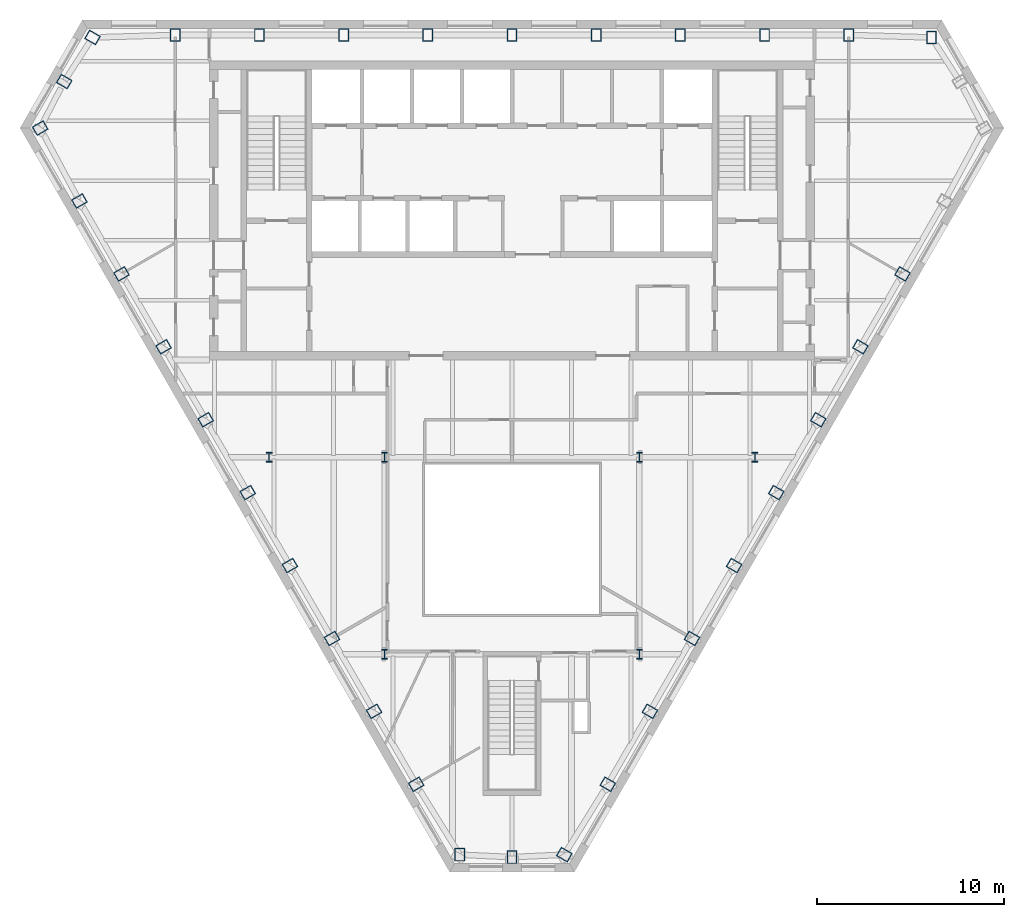
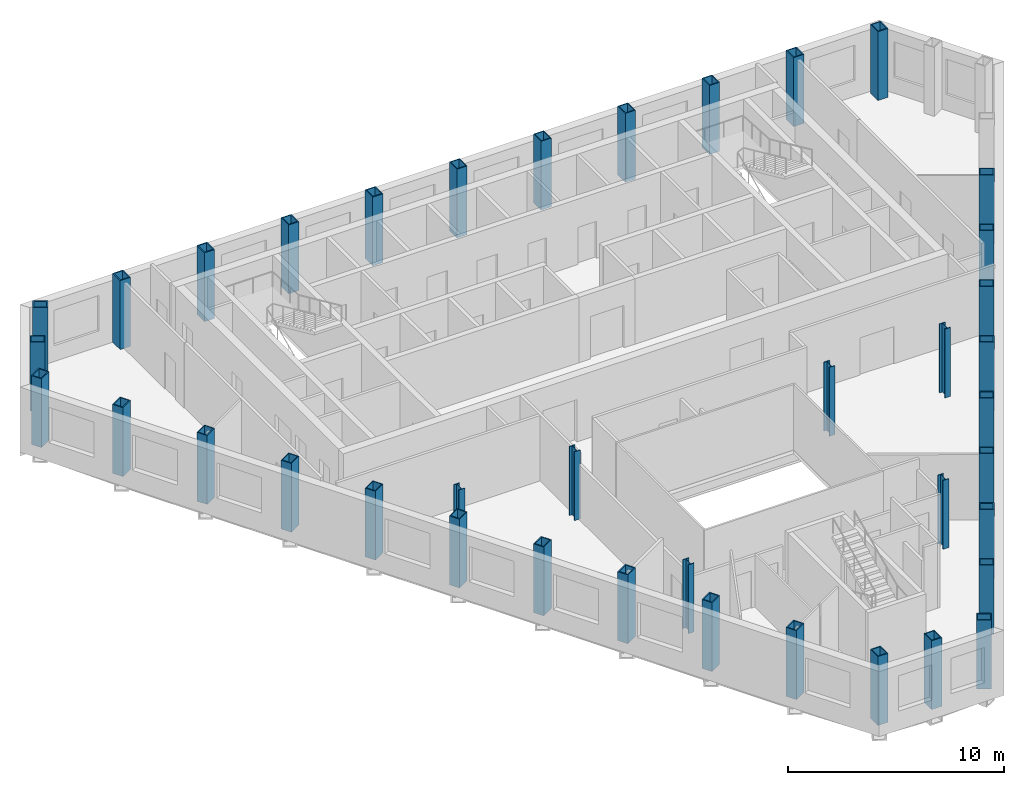
# One storey, part 1 of 10: 39 columns.
"""IFC4 building model written with IfcOpenShell, lengths in metres."""

from ifc_helpers import new_model, si_unit, direction, frame, origin, origin_2d, place, context, subcontext, project, spatial, hollow_rectangle, i_section, extrude, material, material_profile, profile_set, type_object, element, save


model = new_model("IFC4")

# Units and contexts
model_context = context("Model", 3, precision=1e-05, world=origin(), true_north=direction((0.0, 1.0)))
body_context = subcontext(model_context, "Body", "Model", "MODEL_VIEW")
ifc_project = project(units=[si_unit("LENGTHUNIT", "METRE"), si_unit("AREAUNIT", "SQUARE_METRE"), si_unit("VOLUMEUNIT", "CUBIC_METRE"), si_unit("PLANEANGLEUNIT", "RADIAN"), si_unit("MASSUNIT", "GRAM", prefix="KILO")], contexts=[model_context])

# Site, building, storey
site_placement = place(None, origin())
site = spatial("IfcSite", under=ifc_project, at=site_placement, CompositionType="ELEMENT")
building_placement = place(site_placement, origin())
building = spatial("IfcBuilding", under=site, at=building_placement, Name="Njiva Tower", CompositionType="ELEMENT")
storey_placement = place(building_placement, frame((0.0, 0.0, 227.7)))
storey = spatial("IfcBuildingStorey", under=building, at=storey_placement, Name="L51", CompositionType="ELEMENT", Elevation=227.7)

# Columns
ifc_material = material(Name="Steel S355 J2", Category="steel")
ifc_material_profile_1 = material_profile(ifc_material, hollow_rectangle(XDim=0.55, YDim=0.7, WallThickness=0.05, at=origin_2d()), Name="BOX 700x550x50")
ifc_profile_set_1 = profile_set([ifc_material_profile_1], Name="Steel S355 J2")
column_type_1 = type_object("IfcColumnType", Name="C11 Perimeter tube column BOX 700x550x50", PredefinedType="COLUMN", material=ifc_profile_set_1)
for number, where, z_axis, x_axis, name in (
    (1, (22.456, 19.267, 0.0), (0.0, 0.0, 1.0), (-1.0, 0.0, 0.0), "Perimeter tube column S17-C01"),
    (2, (18.026, 19.4, 0.0), (0.0, 0.0, 1.0), (-1.0, 0.0, 0.0), "Perimeter tube column S17-C02"),
    (3, (13.52, 19.4, 0.0), (0.0, 0.0, 1.0), (-1.0, 0.0, 0.0), "Perimeter tube column S17-C03"),
    (4, (9.013, 19.4, 0.0), (0.0, 0.0, 1.0), (-1.0, 0.0, 0.0), "Perimeter tube column S17-C04"),
    (5, (4.507, 19.4, 0.0), (0.0, 0.0, 1.0), (-1.0, 0.0, 0.0), "Perimeter tube column S17-C05"),
    (6, (0.0, 19.4, 0.0), (0.0, 0.0, 1.0), (-1.0, 0.0, 0.0), "Perimeter tube column S17-C06"),
    (7, (-4.507, 19.4, 0.0), (0.0, 0.0, 1.0), (-1.0, 0.0, 0.0), "Perimeter tube column S17-C07"),
    (8, (-9.013, 19.4, 0.0), (0.0, 0.0, 1.0), (-1.0, 0.0, 0.0), "Perimeter tube column S17-C08"),
    (9, (-13.52, 19.4, 0.0), (0.0, 0.0, 1.0), (-1.0, 0.0, 0.0), "Perimeter tube column S17-C09"),
    (10, (-18.026, 19.4, 0.0), (0.0, 0.0, 1.0), (-1.0, 0.0, 0.0), "Perimeter tube column S17-C10"),
    (11, (-22.456, 19.267, 0.0), (0.0, 0.0, 1.0), (-0.5, -0.866025403784, 0.0), "Perimeter tube column S17-C11"),
    (12, (-23.972, 16.907, 0.0), (0.0, 0.0, 1.0), (-0.5, -0.866025403784, 0.0), "Perimeter tube column S17-C12"),
    (13, (-25.258, 14.415, 0.0), (0.0, 0.0, 1.0), (0.5, -0.866025403784, 0.0), "Perimeter tube column S17-C13"),
    (14, (-23.158, 10.512, 0.0), (0.0, 0.0, 1.0), (0.5, -0.866025403784, 0.0), "Perimeter tube column S17-C14"),
    (15, (-20.905, 6.609, 0.0), (0.0, 0.0, 1.0), (0.5, -0.866025403784, 0.0), "Perimeter tube column S17-C15"),
    (16, (-18.651, 2.706, 0.0), (0.0, 0.0, 1.0), (0.5, -0.866025403784, 0.0), "Perimeter tube column S17-C16"),
    (17, (-16.398, -1.196, 0.0), (0.0, 0.0, 1.0), (0.5, -0.866025403784, 0.0), "Perimeter tube column S17-C17"),
    (18, (-14.145, -5.099, 0.0), (0.0, 0.0, 1.0), (0.5, -0.866025403784, 0.0), "Perimeter tube column S17-C18"),
    (19, (-11.891, -9.002, 0.0), (0.0, 0.0, 1.0), (0.5, -0.866025403784, 0.0), "Perimeter tube column S17-C19"),
    (20, (-9.638, -12.905, 0.0), (0.0, 0.0, 1.0), (0.5, -0.866025403784, 0.0), "Perimeter tube column S17-C20"),
    (21, (-7.385, -16.808, 0.0), (0.0, 0.0, 1.0), (0.5, -0.866025403784, 0.0), "Perimeter tube column S17-C21"),
    (22, (-5.131, -20.711, 0.0), (0.0, 0.0, 1.0), (0.5, -0.866025403784, 0.0), "Perimeter tube column S17-C22"),
    (23, (-2.801, -24.48, 0.0), (0.0, 0.0, 1.0), (1.0, 0.0, 0.0), "Perimeter tube column S17-C23"),
    (24, (0.0, -24.614, 0.0), (0.0, 0.0, 1.0), (1.0, 0.0, 0.0), "Perimeter tube column S17-C24"),
    (25, (2.801, -24.48, 0.0), (0.0, 0.0, 1.0), (0.5, 0.866025403784, 0.0), "Perimeter tube column S17-C25"),
    (26, (5.131, -20.711, 0.0), (0.0, 0.0, 1.0), (0.5, 0.866025403784, 0.0), "Perimeter tube column S17-C26"),
    (27, (7.385, -16.808, 0.0), (0.0, 0.0, 1.0), (0.5, 0.866025403784, 0.0), "Perimeter tube column S17-C27"),
    (28, (9.638, -12.905, 0.0), (0.0, 0.0, 1.0), (0.5, 0.866025403784, 0.0), "Perimeter tube column S17-C28"),
    (29, (11.891, -9.002, 0.0), (0.0, 0.0, 1.0), (0.5, 0.866025403784, 0.0), "Perimeter tube column S17-C29"),
    (30, (14.145, -5.099, 0.0), (0.0, 0.0, 1.0), (0.5, 0.866025403784, 0.0), "Perimeter tube column S17-C30"),
    (31, (16.398, -1.196, 0.0), (0.0, 0.0, 1.0), (0.5, 0.866025403784, 0.0), "Perimeter tube column S17-C31"),
    (32, (18.651, 2.706, 0.0), (0.0, 0.0, 1.0), (0.5, 0.866025403784, 0.0), "Perimeter tube column S17-C32"),
    (33, (20.905, 6.609, 0.0), (0.0, 0.0, 1.0), (0.5, 0.866025403784, 0.0), "Perimeter tube column S17-C33"),
):
    element("IfcColumn", number, at=place(storey_placement, frame(where, z_axis=z_axis, x_axis=x_axis)), inside=storey, type_object=column_type_1, Name=name, PredefinedType="COLUMN", context=body_context, shape_type="SweptSolid", body=[
        extrude(hollow_rectangle(XDim=0.55, YDim=0.7, WallThickness=0.05, at=origin_2d()), origin(), (0.0, 0.0, 1.0), 3.9),
    ])
ifc_material_profile_2 = material_profile(ifc_material, i_section(OverallWidth=0.306, OverallDepth=0.524, WebThickness=0.021, FlangeThickness=0.04, at=origin_2d()), Name="HEM 500")
ifc_profile_set_2 = profile_set([ifc_material_profile_2], Name="Steel S355 J2")
column_type_2 = type_object("IfcColumnType", Name="C12 Interior column HEM 500", PredefinedType="COLUMN", material=ifc_profile_set_2)
for number, where, z_axis, x_axis, name in (
    (34, (6.82, -3.2, 0.0), (0.0, 0.0, 1.0), (1.0, 0.0, 0.0), "Interior column S17-C37"),
    (35, (-6.82, -3.2, 0.0), (0.0, 0.0, 1.0), (1.0, 0.0, 0.0), "Interior column S17-C38"),
    (36, (6.82, -13.75, 0.0), (0.0, 0.0, 1.0), (1.0, 0.0, 0.0), "Interior column S17-C39"),
    (37, (-6.82, -13.75, 0.0), (0.0, 0.0, 1.0), (1.0, 0.0, 0.0), "Interior column S17-C40"),
    (38, (13.0, -3.2, 0.0), (0.0, 0.0, 1.0), (1.0, 0.0, 0.0), "Interior column S17-C41"),
    (39, (-13.0, -3.2, 0.0), (0.0, 0.0, 1.0), (1.0, 0.0, 0.0), "Interior column S17-C42"),
):
    element("IfcColumn", number, at=place(storey_placement, frame(where, z_axis=z_axis, x_axis=x_axis)), inside=storey, type_object=column_type_2, Name=name, PredefinedType="COLUMN", context=body_context, shape_type="SweptSolid", body=[
        extrude(i_section(OverallWidth=0.306, OverallDepth=0.524, WebThickness=0.021, FlangeThickness=0.04, at=origin_2d()), origin(), (0.0, 0.0, 1.0), 3.9),
    ])

save(model, "model.ifc")
